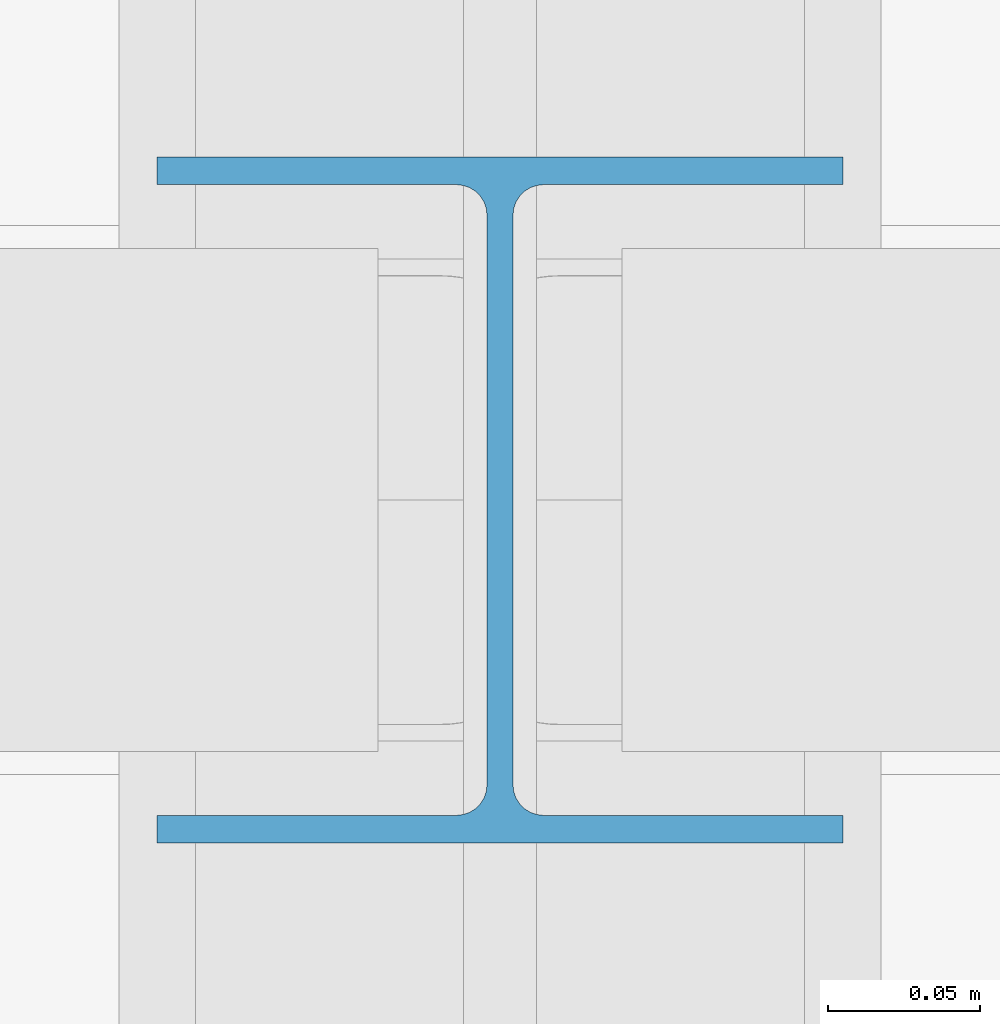
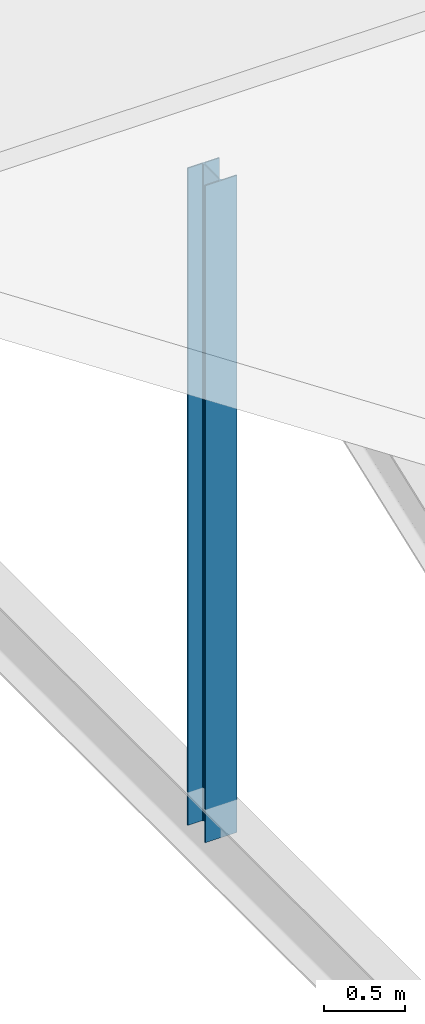
# One storey, part 43 of 163: 1 member.
"""IFC4 building model written with IfcOpenShell, lengths in metres."""

import ifcopenshell
import ifcopenshell.guid

model = None  # the IFC model being written
_history = None  # IfcOwnerHistory: only IFC2X3 demands one
_inside = {}  # id of a spatial element -> (the spatial element, [elements in it])
_under = {}  # id of a project, library or spatial element -> (it, [spatial elements below it])
_declared = {}  # id of a project -> (the project, [libraries it declares])
_typed = {}  # id of a type object -> (the type object, [elements of that type])
_made_of = {}  # id of a material, layer set ... -> (it, [elements and type objects made of it])


def new_model(schema):
    """Start an empty IFC model of exactly this schema.

    Asked for "IFC4X3", IfcOpenShell would pick the latest addendum, in which some entities
    have other attributes; the version numbers below select the first issue.
    IFC2X3 requires an IfcOwnerHistory on every rooted entity: one is made here for all.
    """
    global model, _history
    if schema == "IFC4X3":
        model = ifcopenshell.file(schema_version=(4, 3, 0, 0))
    else:
        model = ifcopenshell.file(schema=schema)
    _inside.clear()
    _under.clear()
    _declared.clear()
    _typed.clear()
    _made_of.clear()
    _history = None
    if model.schema == "IFC2X3":
        org = make("IfcOrganization", Name="unknown")
        user = make(
            "IfcPersonAndOrganization",
            ThePerson=make("IfcPerson", FamilyName="unknown"),
            TheOrganization=org,
        )
        app = make(
            "IfcApplication",
            ApplicationDeveloper=org,
            Version="unknown",
            ApplicationFullName="unknown",
            ApplicationIdentifier="unknown",
        )
        _history = make(
            "IfcOwnerHistory",
            OwningUser=user,
            OwningApplication=app,
            ChangeAction="ADDED",
            CreationDate=0,
        )
    return model


def make(cls, **values):
    """One entity of the class cls with the attributes given. An attribute that is None is left unset."""
    return model.create_entity(
        cls, **{name: value for name, value in values.items() if value is not None}
    )


def rooted(cls, **values):
    """An entity with a GlobalId (a new one), such as an element, a storey or a relation."""
    return make(cls, GlobalId=ifcopenshell.guid.new(), OwnerHistory=_history, **values)


def si_unit(unit_type, name, prefix=None):
    """IfcSIUnit, for example si_unit("LENGTHUNIT", "METRE", prefix="MILLI")."""
    return make("IfcSIUnit", UnitType=unit_type, Prefix=prefix, Name=name)


def assignment(units):
    """IfcUnitAssignment: the units of a project."""
    return None if units is None else make("IfcUnitAssignment", Units=units)


def point(xyz):
    """IfcCartesianPoint."""
    return None if xyz is None else make("IfcCartesianPoint", Coordinates=xyz)


def direction(xyz):
    """IfcDirection."""
    return None if xyz is None else make("IfcDirection", DirectionRatios=xyz)


def frame(location, z_axis=None, x_axis=None):
    """IfcAxis2Placement3D, a coordinate frame: its origin and axes. An axis left out is left unset."""
    return make(
        "IfcAxis2Placement3D",
        Location=point(location),
        Axis=direction(z_axis),
        RefDirection=direction(x_axis),
    )


def frame_2d(location, x_axis=None):
    """IfcAxis2Placement2D, a coordinate frame in the plane: its origin and x axis."""
    return make(
        "IfcAxis2Placement2D", Location=point(location), RefDirection=direction(x_axis)
    )


def origin():
    """The frame at (0, 0, 0) with its axes left unset."""
    return frame((0.0, 0.0, 0.0))


def origin_2d():
    """The frame at (0, 0) in the plane with its x axis left unset."""
    return frame_2d((0.0, 0.0))


def place(relative_to, where):
    """IfcLocalPlacement: puts the frame where relative to a parent placement (None: the world)."""
    return make(
        "IfcLocalPlacement", PlacementRelTo=relative_to, RelativePlacement=where
    )


def context(
    kind, dimensions, precision=None, world=None, true_north=None, identifier=None
):
    """IfcGeometricRepresentationContext, for example the 3D "Model" context."""
    return make(
        "IfcGeometricRepresentationContext",
        ContextIdentifier=identifier,
        ContextType=kind,
        CoordinateSpaceDimension=dimensions,
        Precision=precision,
        WorldCoordinateSystem=world,
        TrueNorth=true_north,
    )


def subcontext(parent, identifier, kind, view, scale=None):
    """IfcGeometricRepresentationSubContext, for example "Body" below "Model"."""
    return make(
        "IfcGeometricRepresentationSubContext",
        ContextIdentifier=identifier,
        ContextType=kind,
        ParentContext=parent,
        TargetScale=scale,
        TargetView=view,
    )


def project(units=None, contexts=None):
    """IfcProject with its units and contexts."""
    return rooted(
        "IfcProject",
        Name="project",
        RepresentationContexts=contexts,
        UnitsInContext=assignment(units),
    )


def spatial(cls, under=None, at=None, **own):
    """A site, building, storey or space (cls), placed at a placement, below another one or the project."""
    s = rooted(cls, ObjectPlacement=at, **own)
    if under is not None:
        _under.setdefault(under.id(), (under, []))[1].append(s)
    return s


def profile(cls, at=None, kind="AREA", **sizes):
    """A parametric profile (cls). Its sizes go by their IFC names, for example OverallWidth=200.0."""
    return make(cls, ProfileType=kind, Position=at, **sizes)


def i_section(**sizes):
    """IfcIShapeProfileDef."""
    return profile("IfcIShapeProfileDef", **sizes)


def extrude(swept, where, along, depth):
    """IfcExtrudedAreaSolid: the profile swept, set in the frame where, extruded along a direction by depth."""
    return make(
        "IfcExtrudedAreaSolid",
        SweptArea=swept,
        Position=where,
        ExtrudedDirection=direction(along),
        Depth=depth,
    )


def shape(context_of_items, identifier, shape_type, items):
    """IfcShapeRepresentation: the items that make up one representation, for example the "Body"."""
    return make(
        "IfcShapeRepresentation",
        ContextOfItems=context_of_items,
        RepresentationIdentifier=identifier,
        RepresentationType=shape_type,
        Items=items,
    )


def material(Name=None, Category=None):
    """IfcMaterial."""
    return make("IfcMaterial", Name=Name, Category=Category)


def material_profile(
    of_material, cross_section, Name=None, Category=None, Priority=None
):
    """IfcMaterialProfile: a cross section and its material."""
    return make(
        "IfcMaterialProfile",
        Name=Name,
        Material=of_material,
        Profile=cross_section,
        Priority=Priority,
        Category=Category,
    )


def profile_set(profiles, Name=None, composite=None):
    """IfcMaterialProfileSet."""
    return make(
        "IfcMaterialProfileSet",
        Name=Name,
        MaterialProfiles=profiles,
        CompositeProfile=composite,
    )


def made_of(thing, what):
    """Note that an element or type object is made of a material, layer set ...; save() writes the relation."""
    if what is not None:
        _made_of.setdefault(what.id(), (what, []))[1].append(thing)
    return thing


def type_object(cls, material=None, **own):
    """A type object (cls), such as IfcWallType, which elements share."""
    return made_of(rooted(cls, **own), material)


def element(
    cls,
    number,
    at=None,
    inside=None,
    cuts=None,
    type_object=None,
    material=None,
    context=None,
    identifier="Body",
    shape_type=None,
    held_by="IfcProductDefinitionShape",
    body=None,
    shapes=None,
    **own,
):
    """One element of the class cls, such as IfcWall. Its Tag is "e" and its number.

    at: its placement. inside: the storey or other place that contains it. cuts: it is an
    opening in that element (IfcRelVoidsElement). A single representation is given by context,
    identifier, shape_type and body (its items); several are given by shapes. held_by: the class
    of the entity that holds the representations. save() writes the other relations.
    """
    e = rooted(cls, Tag="e%d" % number, ObjectPlacement=at, **own)
    if body is not None:
        shapes = [shape(context, identifier, shape_type, body)]
    if shapes is not None:
        e.Representation = make(held_by, Representations=shapes)
    if inside is not None:
        _inside.setdefault(inside.id(), (inside, []))[1].append(e)
    if cuts is not None:
        rooted(
            "IfcRelVoidsElement", RelatingBuildingElement=cuts, RelatedOpeningElement=e
        )
    if type_object is not None:
        _typed.setdefault(type_object.id(), (type_object, []))[1].append(e)
    return made_of(e, material)


def aggregate(whole, parts):
    """IfcRelAggregates: a whole, such as a stair, and the parts it consists of."""
    return rooted("IfcRelAggregates", RelatingObject=whole, RelatedObjects=parts)


def save(model, path):
    """Write the relations noted so far, then the file.

    IfcRelAggregates (storeys below a building ...), IfcRelContainedInSpatialStructure (elements
    in a storey), IfcRelDefinesByType, IfcRelAssociatesMaterial and IfcRelDeclares: one each for
    every whole, place, type object, material and project.
    """
    for whole, parts in _under.values():
        aggregate(whole, parts)
    for where, things in _inside.values():
        rooted(
            "IfcRelContainedInSpatialStructure",
            RelatedElements=things,
            RelatingStructure=where,
        )
    for kind, things in _typed.values():
        rooted("IfcRelDefinesByType", RelatedObjects=things, RelatingType=kind)
    for what, things in _made_of.values():
        rooted("IfcRelAssociatesMaterial", RelatedObjects=things, RelatingMaterial=what)
    for by, libraries in _declared.values():
        rooted("IfcRelDeclares", RelatingContext=by, RelatedDefinitions=libraries)
    model.write(path)


model = new_model("IFC4")

# Units and contexts
model_context = context("Model", 3, precision=1e-05, world=origin(), true_north=direction((0.0, 1.0)))
body_context = subcontext(model_context, "Body", "Model", "MODEL_VIEW")
ifc_project = project(units=[si_unit("LENGTHUNIT", "METRE"), si_unit("AREAUNIT", "SQUARE_METRE"), si_unit("VOLUMEUNIT", "CUBIC_METRE"), si_unit("PLANEANGLEUNIT", "RADIAN"), si_unit("MASSUNIT", "GRAM", prefix="KILO")], contexts=[model_context])

# Site, building, storey
site_placement = place(None, origin())
site = spatial("IfcSite", under=ifc_project, at=site_placement, CompositionType="ELEMENT")
building_placement = place(site_placement, origin())
building = spatial("IfcBuilding", under=site, at=building_placement, Name="Tharagai Park Tramway Depot", CompositionType="ELEMENT")
storey_placement = place(building_placement, frame((0.0, 0.0, 8.39990234375)))
storey = spatial("IfcBuildingStorey", under=building, at=storey_placement, Name="L02", CompositionType="ELEMENT", Elevation=8.39990234375)

# Member
ifc_material = material(Name="Steel E350", Category="steel")
ifc_material_profile = material_profile(ifc_material, i_section(OverallWidth=0.22509765625, OverallDepth=0.22509765625, WebThickness=0.008544921875, FlangeThickness=0.009033203125, FilletRadius=0.010009765625, at=origin_2d()), Name="ISHB 225")
ifc_profile_set = profile_set([ifc_material_profile], Name="Steel E350")
member_type = type_object("IfcMemberType", Name="BR-02", PredefinedType="BRACE", material=ifc_profile_set)
member_placement = place(storey_placement, frame((63.0, 76.5, -0.5), z_axis=(0.0, 0.0, 1.0), x_axis=(1.0, 0.0, 0.0)))
element("IfcMember", 1, at=member_placement, inside=storey, type_object=member_type, Name="V2B Gable King Strut BR-02", PredefinedType="BRACE", context=body_context, shape_type="SweptSolid", body=[
    extrude(i_section(OverallWidth=0.22509765625, OverallDepth=0.22509765625, WebThickness=0.008544921875, FlangeThickness=0.009033203125, FilletRadius=0.010009765625, at=origin_2d()), origin(), (0.0, 0.0, 1.0), 4.946044921875),
])

save(model, "model.ifc")
